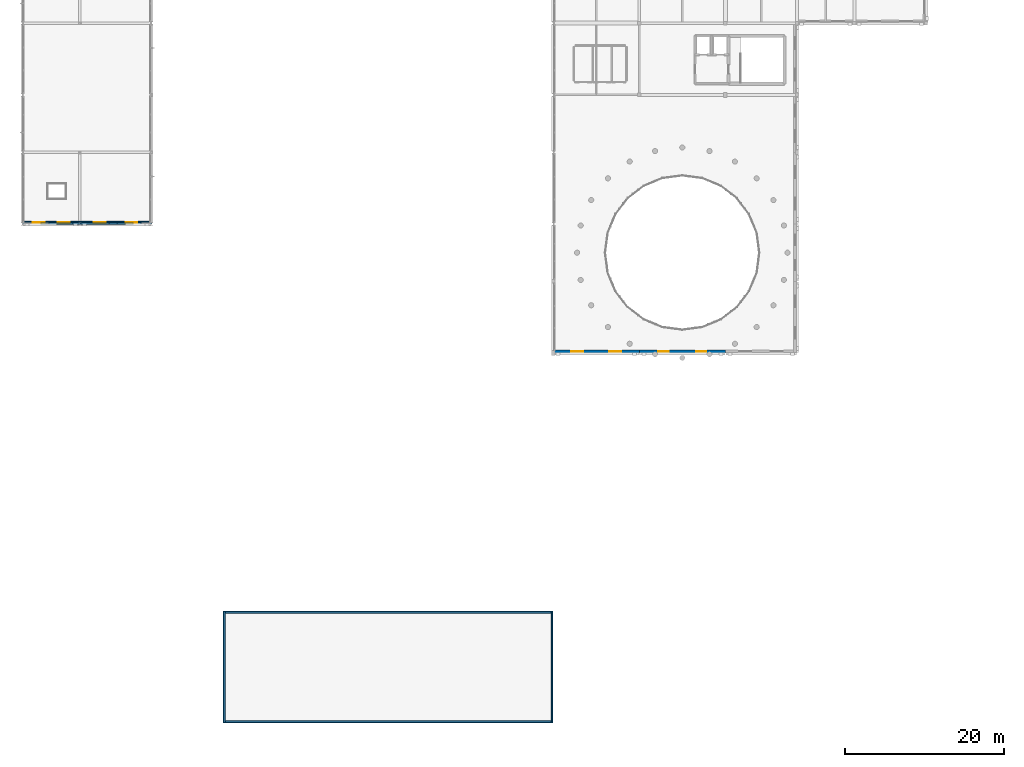
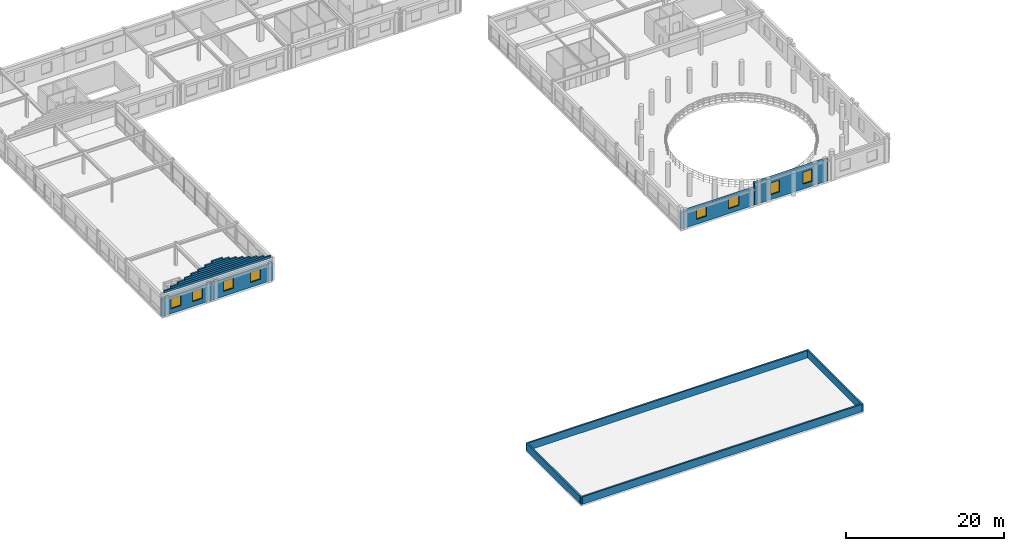
# One storey, part 38 of 52: 16 walls, 8 windows, 8 openings.
"""IFC4 building model written with IfcOpenShell, lengths in metres."""

from ifc_helpers import new_model, si_unit, direction, frame, frame_2d, origin, place, context, subcontext, project, spatial, rectangle, extrude, material, layer, layer_set, type_object, element, fill, save


model = new_model("IFC4")

# Units and contexts
model_context = context("Model", 3, precision=1e-05, world=origin(), true_north=direction((0.0, 1.0)))
body_context = subcontext(model_context, "Body", "Model", "MODEL_VIEW")
ifc_project = project(units=[si_unit("LENGTHUNIT", "METRE"), si_unit("AREAUNIT", "SQUARE_METRE"), si_unit("VOLUMEUNIT", "CUBIC_METRE"), si_unit("PLANEANGLEUNIT", "RADIAN"), si_unit("MASSUNIT", "GRAM", prefix="KILO")], contexts=[model_context])

# Site, building, storey
site_placement = place(None, origin())
site = spatial("IfcSite", under=ifc_project, at=site_placement, CompositionType="ELEMENT")
building_placement = place(site_placement, origin())
building = spatial("IfcBuilding", under=site, at=building_placement, Name="Clarverna Civic Hall", CompositionType="ELEMENT")
storey_placement = place(building_placement, frame((0.0, 0.0, 16.800048828125)))
storey = spatial("IfcBuildingStorey", under=building, at=storey_placement, Name="L04", CompositionType="ELEMENT", Elevation=16.800048828125)

# Wall, openings, windows
ifc_material_1 = material(Name="Montjuic Limestone Ashlar Cladding", Category="masonry")
ifc_layer_1 = layer(ifc_material_1, 0.39990234375)
ifc_layer_set_1 = layer_set([ifc_layer_1], Name="Montjuic Limestone Ashlar Cladding")
wall_type_1 = type_object("IfcWallType", Name="EW-02", PredefinedType="SOLIDWALL", material=ifc_layer_set_1)
wall_1_placement = place(storey_placement, frame((88.199951171875, 46.60009765625, 0.0), z_axis=(0.0, 0.0, 1.0), x_axis=(-1.0, 0.0, 0.0)))
wall_1 = element("IfcWall", 1, at=wall_1_placement, inside=storey, type_object=wall_type_1, Name="EW-02-236", PredefinedType="SOLIDWALL", context=body_context, shape_type="SweptSolid", body=[
    extrude(rectangle(XDim=10.800048828125, YDim=0.39990234375, at=frame_2d((5.39990234375, 0.0))), origin(), (0.0, 0.0, 1.0), 3.3798828125),
])
opening_1_placement = place(wall_1_placement, frame((2.3740234375, 0.0, 0.75)))
opening_1 = element("IfcOpeningElement", 2, at=opening_1_placement, cuts=wall_1, Name="Opening WN-19", PredefinedType="OPENING", context=body_context, shape_type="SweptSolid", body=[
    extrude(rectangle(XDim=1.300048828125, YDim=1.85009765625, at=frame_2d((0.64990234375, 0.925048828125))), frame((0.0, 0.2099609375, 0.0), z_axis=(0.0, -1.0, 0.0), x_axis=(1.0, 0.0, 0.0)), (0.0, 0.0, 1.0), 0.419921875),
])
opening_2_placement = place(wall_1_placement, frame((7.1259765625, 0.0, 0.75)))
opening_2 = element("IfcOpeningElement", 3, at=opening_2_placement, cuts=wall_1, Name="Opening WN-19", PredefinedType="OPENING", context=body_context, shape_type="SweptSolid", body=[
    extrude(rectangle(XDim=1.300048828125, YDim=1.85009765625, at=frame_2d((0.64990234375, 0.925048828125))), frame((0.0, 0.2099609375, 0.0), z_axis=(0.0, -1.0, 0.0), x_axis=(1.0, 0.0, 0.0)), (0.0, 0.0, 1.0), 0.419921875),
])
ifc_material_2 = material(Name="Solar-Control Argon Low-E Double Glazing", Category="glass")
window_type_1 = type_object("IfcWindowType", Name="WN-19", PartitioningType="SINGLE_PANEL", PredefinedType="WINDOW", material=ifc_material_2)
window_1_placement = place(opening_1_placement, origin())
window_1 = element("IfcWindow", 4, at=window_1_placement, inside=storey, type_object=window_type_1, Name="WN-19-007", OverallHeight=1.85009765625, OverallWidth=1.300048828125, PartitioningType="SINGLE_PANEL", PredefinedType="WINDOW", context=body_context, shape_type="SweptSolid", body=[
    extrude(rectangle(XDim=1.300048828125, YDim=1.85009765625, at=frame_2d((0.64990234375, 0.925048828125))), frame((0.0, 0.030029296875, 0.0), z_axis=(0.0, -1.0, 0.0), x_axis=(1.0, 0.0, 0.0)), (0.0, 0.0, 1.0), 0.06005859375),
])
fill(opening_1, window_1)
window_2_placement = place(opening_2_placement, origin())
window_2 = element("IfcWindow", 5, at=window_2_placement, inside=storey, type_object=window_type_1, Name="WN-19-008", OverallHeight=1.85009765625, OverallWidth=1.300048828125, PartitioningType="SINGLE_PANEL", PredefinedType="WINDOW", context=body_context, shape_type="SweptSolid", body=[
    extrude(rectangle(XDim=1.300048828125, YDim=1.85009765625, at=frame_2d((0.64990234375, 0.925048828125))), frame((0.0, 0.030029296875, 0.0), z_axis=(0.0, -1.0, 0.0), x_axis=(1.0, 0.0, 0.0)), (0.0, 0.0, 1.0), 0.06005859375),
])
fill(opening_2, window_2)

wall_2_placement = place(storey_placement, frame((77.39990234375, 46.60009765625, 0.0), z_axis=(0.0, 0.0, 1.0), x_axis=(-1.0, 0.0, 0.0)))
wall_2 = element("IfcWall", 6, at=wall_2_placement, inside=storey, type_object=wall_type_1, Name="EW-02-237", PredefinedType="SOLIDWALL", context=body_context, shape_type="SweptSolid", body=[
    extrude(rectangle(XDim=10.77490234375, YDim=0.39990234375, at=frame_2d((5.387451171875, 0.0))), origin(), (0.0, 0.0, 1.0), 2.619873046875),
])
opening_3_placement = place(wall_2_placement, frame((2.26708984375, 0.0, 0.75)))
opening_3 = element("IfcOpeningElement", 7, at=opening_3_placement, cuts=wall_2, Name="Opening WN-14", PredefinedType="OPENING", context=body_context, shape_type="SweptSolid", body=[
    extrude(rectangle(XDim=1.5, YDim=1.60009765625, at=frame_2d((0.75, 0.800048828125))), frame((0.0, 0.2099609375, 0.0), z_axis=(0.0, -1.0, 0.0), x_axis=(1.0, 0.0, 0.0)), (0.0, 0.0, 1.0), 0.419921875),
])
opening_4_placement = place(wall_2_placement, frame((7.008056640625, 0.0, 0.75)))
opening_4 = element("IfcOpeningElement", 8, at=opening_4_placement, cuts=wall_2, Name="Opening WN-14", PredefinedType="OPENING", context=body_context, shape_type="SweptSolid", body=[
    extrude(rectangle(XDim=1.5, YDim=1.60009765625, at=frame_2d((0.75, 0.800048828125))), frame((0.0, 0.2099609375, 0.0), z_axis=(0.0, -1.0, 0.0), x_axis=(1.0, 0.0, 0.0)), (0.0, 0.0, 1.0), 0.419921875),
])
window_type_2 = type_object("IfcWindowType", Name="WN-14", PartitioningType="DOUBLE_PANEL_HORIZONTAL", PredefinedType="WINDOW", material=ifc_material_2)
window_3_placement = place(opening_3_placement, origin())
window_3 = element("IfcWindow", 9, at=window_3_placement, inside=storey, type_object=window_type_2, Name="WN-14-260", OverallHeight=1.60009765625, OverallWidth=1.5, PartitioningType="DOUBLE_PANEL_HORIZONTAL", PredefinedType="WINDOW", context=body_context, shape_type="SweptSolid", body=[
    extrude(rectangle(XDim=1.5, YDim=1.60009765625, at=frame_2d((0.75, 0.800048828125))), frame((0.0, 0.030029296875, 0.0), z_axis=(0.0, -1.0, 0.0), x_axis=(1.0, 0.0, 0.0)), (0.0, 0.0, 1.0), 0.06005859375),
])
fill(opening_3, window_3)
window_4_placement = place(opening_4_placement, origin())
window_4 = element("IfcWindow", 10, at=window_4_placement, inside=storey, type_object=window_type_2, Name="WN-14-261", OverallHeight=1.60009765625, OverallWidth=1.5, PartitioningType="DOUBLE_PANEL_HORIZONTAL", PredefinedType="WINDOW", context=body_context, shape_type="SweptSolid", body=[
    extrude(rectangle(XDim=1.5, YDim=1.60009765625, at=frame_2d((0.75, 0.800048828125))), frame((0.0, 0.030029296875, 0.0), z_axis=(0.0, -1.0, 0.0), x_axis=(1.0, 0.0, 0.0)), (0.0, 0.0, 1.0), 0.06005859375),
])
fill(opening_4, window_4)

wall_3_placement = place(storey_placement, frame((16.199951171875, 62.800048828125, 0.0), z_axis=(0.0, 0.0, 1.0), x_axis=(-1.0, 0.0, 0.0)))
wall_3 = element("IfcWall", 11, at=wall_3_placement, inside=storey, type_object=wall_type_1, Name="EW-02-252", PredefinedType="SOLIDWALL", context=body_context, shape_type="SweptSolid", body=[
    extrude(rectangle(XDim=9.0, YDim=0.39990234375, at=frame_2d((4.5, 0.0))), origin(), (0.0, 0.0, 1.0), 2.739990234375),
])
opening_5_placement = place(wall_3_placement, frame((1.77001953125, 0.0, 0.75)))
opening_5 = element("IfcOpeningElement", 12, at=opening_5_placement, cuts=wall_3, Name="Opening WN-14", PredefinedType="OPENING", context=body_context, shape_type="SweptSolid", body=[
    extrude(rectangle(XDim=1.5, YDim=1.60009765625, at=frame_2d((0.75, 0.800048828125))), frame((0.0, 0.2099609375, 0.0), z_axis=(0.0, -1.0, 0.0), x_axis=(1.0, 0.0, 0.0)), (0.0, 0.0, 1.0), 0.419921875),
])
opening_6_placement = place(wall_3_placement, frame((5.72998046875, 0.0, 0.75)))
opening_6 = element("IfcOpeningElement", 13, at=opening_6_placement, cuts=wall_3, Name="Opening WN-14", PredefinedType="OPENING", context=body_context, shape_type="SweptSolid", body=[
    extrude(rectangle(XDim=1.5, YDim=1.60009765625, at=frame_2d((0.75, 0.800048828125))), frame((0.0, 0.2099609375, 0.0), z_axis=(0.0, -1.0, 0.0), x_axis=(1.0, 0.0, 0.0)), (0.0, 0.0, 1.0), 0.419921875),
])
window_5_placement = place(opening_5_placement, origin())
window_5 = element("IfcWindow", 14, at=window_5_placement, inside=storey, type_object=window_type_2, Name="WN-14-287", OverallHeight=1.60009765625, OverallWidth=1.5, PartitioningType="DOUBLE_PANEL_HORIZONTAL", PredefinedType="WINDOW", context=body_context, shape_type="SweptSolid", body=[
    extrude(rectangle(XDim=1.5, YDim=1.60009765625, at=frame_2d((0.75, 0.800048828125))), frame((0.0, 0.030029296875, 0.0), z_axis=(0.0, -1.0, 0.0), x_axis=(1.0, 0.0, 0.0)), (0.0, 0.0, 1.0), 0.06005859375),
])
fill(opening_5, window_5)
window_6_placement = place(opening_6_placement, origin())
window_6 = element("IfcWindow", 15, at=window_6_placement, inside=storey, type_object=window_type_2, Name="WN-14-288", OverallHeight=1.60009765625, OverallWidth=1.5, PartitioningType="DOUBLE_PANEL_HORIZONTAL", PredefinedType="WINDOW", context=body_context, shape_type="SweptSolid", body=[
    extrude(rectangle(XDim=1.5, YDim=1.60009765625, at=frame_2d((0.75, 0.800048828125))), frame((0.0, 0.030029296875, 0.0), z_axis=(0.0, -1.0, 0.0), x_axis=(1.0, 0.0, 0.0)), (0.0, 0.0, 1.0), 0.06005859375),
])
fill(opening_6, window_6)

wall_4_placement = place(storey_placement, frame((7.199951171875, 62.800048828125, 0.0), z_axis=(0.0, 0.0, 1.0), x_axis=(-1.0, 0.0, 0.0)))
wall_4 = element("IfcWall", 16, at=wall_4_placement, inside=storey, type_object=wall_type_1, Name="EW-02-253", PredefinedType="SOLIDWALL", context=body_context, shape_type="SweptSolid", body=[
    extrude(rectangle(XDim=7.199951171875, YDim=0.39990234375, at=frame_2d((3.60009765625, 0.0))), origin(), (0.0, 0.0, 1.0), 2.739990234375),
])
opening_7_placement = place(wall_4_placement, frame((1.26611328125, 0.0, 0.75)))
opening_7 = element("IfcOpeningElement", 17, at=opening_7_placement, cuts=wall_4, Name="Opening WN-14", PredefinedType="OPENING", context=body_context, shape_type="SweptSolid", body=[
    extrude(rectangle(XDim=1.5, YDim=1.60009765625, at=frame_2d((0.75, 0.800048828125))), frame((0.0, 0.2099609375, 0.0), z_axis=(0.0, -1.0, 0.0), x_axis=(1.0, 0.0, 0.0)), (0.0, 0.0, 1.0), 0.419921875),
])
opening_8_placement = place(wall_4_placement, frame((4.43408203125, 0.0, 0.75)))
opening_8 = element("IfcOpeningElement", 18, at=opening_8_placement, cuts=wall_4, Name="Opening WN-14", PredefinedType="OPENING", context=body_context, shape_type="SweptSolid", body=[
    extrude(rectangle(XDim=1.5, YDim=1.60009765625, at=frame_2d((0.75, 0.800048828125))), frame((0.0, 0.2099609375, 0.0), z_axis=(0.0, -1.0, 0.0), x_axis=(1.0, 0.0, 0.0)), (0.0, 0.0, 1.0), 0.419921875),
])
window_7_placement = place(opening_7_placement, origin())
window_7 = element("IfcWindow", 19, at=window_7_placement, inside=storey, type_object=window_type_2, Name="WN-14-289", OverallHeight=1.60009765625, OverallWidth=1.5, PartitioningType="DOUBLE_PANEL_HORIZONTAL", PredefinedType="WINDOW", context=body_context, shape_type="SweptSolid", body=[
    extrude(rectangle(XDim=1.5, YDim=1.60009765625, at=frame_2d((0.75, 0.800048828125))), frame((0.0, 0.030029296875, 0.0), z_axis=(0.0, -1.0, 0.0), x_axis=(1.0, 0.0, 0.0)), (0.0, 0.0, 1.0), 0.06005859375),
])
fill(opening_7, window_7)
window_8_placement = place(opening_8_placement, origin())
window_8 = element("IfcWindow", 20, at=window_8_placement, inside=storey, type_object=window_type_2, Name="WN-14-290", OverallHeight=1.60009765625, OverallWidth=1.5, PartitioningType="DOUBLE_PANEL_HORIZONTAL", PredefinedType="WINDOW", context=body_context, shape_type="SweptSolid", body=[
    extrude(rectangle(XDim=1.5, YDim=1.60009765625, at=frame_2d((0.75, 0.800048828125))), frame((0.0, 0.030029296875, 0.0), z_axis=(0.0, -1.0, 0.0), x_axis=(1.0, 0.0, 0.0)), (0.0, 0.0, 1.0), 0.06005859375),
])
fill(opening_8, window_8)

# Walls
ifc_material_3 = material(Name="Precast concrete C40/50", Category="concrete")
ifc_layer_2 = layer(ifc_material_3, 0.239990234375)
ifc_layer_set_2 = layer_set([ifc_layer_2], Name="Precast concrete C40/50")
wall_type_2 = type_object("IfcWallType", Name="PR-01", PredefinedType="PARAPET", material=ifc_layer_set_2)
wall_5_placement = place(storey_placement, frame((25.199951171875, 13.8798828125, 0.0), z_axis=(0.0, 0.0, 1.0), x_axis=(1.0, 0.0, 0.0)))
element("IfcWall", 21, at=wall_5_placement, inside=storey, type_object=wall_type_2, Name="PR-01-041", PredefinedType="PARAPET", context=body_context, shape_type="SweptSolid", body=[
    extrude(rectangle(XDim=41.375, YDim=0.239990234375, at=frame_2d((20.6875, 0.0))), origin(), (0.0, 0.0, 1.0), 1.14990234375),
])
wall_6_placement = place(storey_placement, frame((66.455078125, 14.0, 0.0), z_axis=(0.0, 0.0, 1.0), x_axis=(0.0, -1.0, 0.0)))
element("IfcWall", 22, at=wall_6_placement, inside=storey, type_object=wall_type_2, Name="PR-01-042", PredefinedType="PARAPET", context=body_context, shape_type="SweptSolid", body=[
    extrude(rectangle(XDim=14.0, YDim=0.239990234375, at=frame_2d((7.0, 0.0))), origin(), (0.0, 0.0, 1.0), 1.14990234375),
])
wall_7_placement = place(storey_placement, frame((66.574951171875, 0.1201171875, 0.0), z_axis=(0.0, 0.0, 1.0), x_axis=(-1.0, 0.0, 0.0)))
element("IfcWall", 23, at=wall_7_placement, inside=storey, type_object=wall_type_2, Name="PR-01-043", PredefinedType="PARAPET", context=body_context, shape_type="SweptSolid", body=[
    extrude(rectangle(XDim=41.375, YDim=0.239990234375, at=frame_2d((20.6875, 0.0))), origin(), (0.0, 0.0, 1.0), 1.14990234375),
])
wall_8_placement = place(storey_placement, frame((25.320068359375, 0.0, 0.0), z_axis=(0.0, 0.0, 1.0), x_axis=(0.0, 1.0, 0.0)))
element("IfcWall", 24, at=wall_8_placement, inside=storey, type_object=wall_type_2, Name="PR-01-044", PredefinedType="PARAPET", context=body_context, shape_type="SweptSolid", body=[
    extrude(rectangle(XDim=14.0, YDim=0.239990234375, at=frame_2d((7.0, 0.0))), origin(), (0.0, 0.0, 1.0), 1.14990234375),
])
wall_9_placement = place(storey_placement, frame((0.280517578125, 62.679931640625, 3.56005859375), z_axis=(0.0, 0.0, 1.0), x_axis=(1.0, 0.0, 0.0)))
element("IfcWall", 25, at=wall_9_placement, inside=storey, type_object=wall_type_2, Name="PR-01-119", PredefinedType="PARAPET", context=body_context, shape_type="SweptSolid", body=[
    extrude(rectangle(XDim=15.638916015625, YDim=0.239990234375, at=frame_2d((7.8193359375, 0.0))), origin(), (0.0, 0.0, 1.0), 0.341796875),
])
wall_10_placement = place(storey_placement, frame((1.282958984375, 62.679931640625, 3.90185546875), z_axis=(0.0, 0.0, 1.0), x_axis=(1.0, 0.0, 0.0)))
element("IfcWall", 26, at=wall_10_placement, inside=storey, type_object=wall_type_2, Name="PR-01-120", PredefinedType="PARAPET", context=body_context, shape_type="SweptSolid", body=[
    extrude(rectangle(XDim=13.634033203125, YDim=0.239990234375, at=frame_2d((6.81689453125, 0.0))), origin(), (0.0, 0.0, 1.0), 0.301513671875),
])
wall_11_placement = place(storey_placement, frame((2.285400390625, 62.679931640625, 4.203369140625), z_axis=(0.0, 0.0, 1.0), x_axis=(1.0, 0.0, 0.0)))
element("IfcWall", 27, at=wall_11_placement, inside=storey, type_object=wall_type_2, Name="PR-01-121", PredefinedType="PARAPET", context=body_context, shape_type="SweptSolid", body=[
    extrude(rectangle(XDim=11.629150390625, YDim=0.239990234375, at=frame_2d((5.814453125, 0.0))), origin(), (0.0, 0.0, 1.0), 0.302001953125),
])
wall_12_placement = place(storey_placement, frame((3.2880859375, 62.679931640625, 4.50537109375), z_axis=(0.0, 0.0, 1.0), x_axis=(1.0, 0.0, 0.0)))
element("IfcWall", 28, at=wall_12_placement, inside=storey, type_object=wall_type_2, Name="PR-01-122", PredefinedType="PARAPET", context=body_context, shape_type="SweptSolid", body=[
    extrude(rectangle(XDim=9.6240234375, YDim=0.239990234375, at=frame_2d((4.81201171875, 0.0))), origin(), (0.0, 0.0, 1.0), 0.3017578125),
])
wall_13_placement = place(storey_placement, frame((4.29052734375, 62.679931640625, 4.80712890625), z_axis=(0.0, 0.0, 1.0), x_axis=(1.0, 0.0, 0.0)))
element("IfcWall", 29, at=wall_13_placement, inside=storey, type_object=wall_type_2, Name="PR-01-123", PredefinedType="PARAPET", context=body_context, shape_type="SweptSolid", body=[
    extrude(rectangle(XDim=7.618896484375, YDim=0.239990234375, at=frame_2d((3.8095703125, 0.0))), origin(), (0.0, 0.0, 1.0), 0.301513671875),
])
wall_14_placement = place(storey_placement, frame((5.29296875, 62.679931640625, 5.108642578125), z_axis=(0.0, 0.0, 1.0), x_axis=(1.0, 0.0, 0.0)))
element("IfcWall", 30, at=wall_14_placement, inside=storey, type_object=wall_type_2, Name="PR-01-124", PredefinedType="PARAPET", context=body_context, shape_type="SweptSolid", body=[
    extrude(rectangle(XDim=5.614013671875, YDim=0.239990234375, at=frame_2d((2.80712890625, 0.0))), origin(), (0.0, 0.0, 1.0), 0.302001953125),
])
wall_15_placement = place(storey_placement, frame((6.29541015625, 62.679931640625, 5.41064453125), z_axis=(0.0, 0.0, 1.0), x_axis=(1.0, 0.0, 0.0)))
element("IfcWall", 31, at=wall_15_placement, inside=storey, type_object=wall_type_2, Name="PR-01-125", PredefinedType="PARAPET", context=body_context, shape_type="SweptSolid", body=[
    extrude(rectangle(XDim=3.609130859375, YDim=0.239990234375, at=frame_2d((1.8046875, 0.0))), origin(), (0.0, 0.0, 1.0), 0.301513671875),
])
wall_16_placement = place(storey_placement, frame((7.298095703125, 62.679931640625, 5.712158203125), z_axis=(0.0, 0.0, 1.0), x_axis=(1.0, 0.0, 0.0)))
element("IfcWall", 32, at=wall_16_placement, inside=storey, type_object=wall_type_2, Name="PR-01-126", PredefinedType="PARAPET", context=body_context, shape_type="SweptSolid", body=[
    extrude(rectangle(XDim=1.60400390625, YDim=0.239990234375, at=frame_2d((0.802001953125, 0.0))), origin(), (0.0, 0.0, 1.0), 0.302001953125),
])

save(model, "model.ifc")
